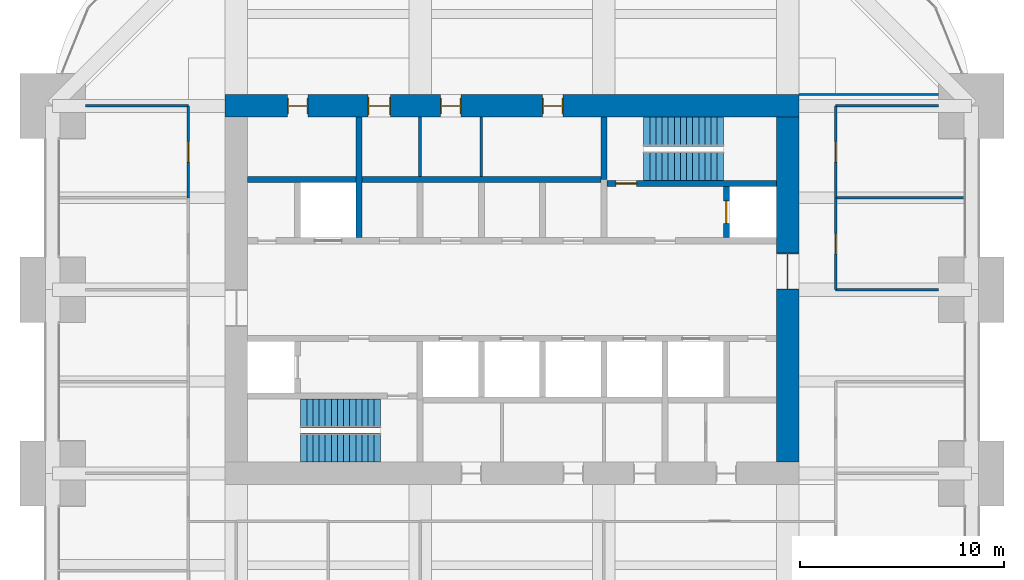
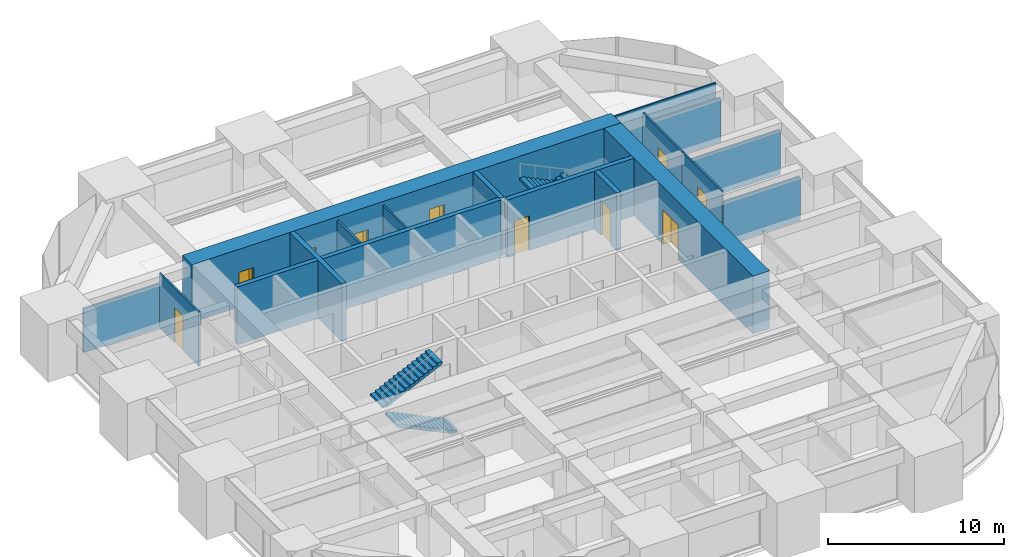
# One storey, part 42 of 43: 17 walls, 10 doors, 4 stair flights, 10 openings, 2 elements without a shape of their own.
"""IFC4 building model written with IfcOpenShell, lengths in metres."""

from ifc_helpers import new_model, si_unit, direction, frame, frame_2d, origin, place, context, subcontext, project, spatial, polyline, rectangle, outline, extrude, material, layer, layer_set, type_object, element, fill, aggregate, save


model = new_model("IFC4")

# Units and contexts
model_context = context("Model", 3, precision=1e-05, world=origin(), true_north=direction((0.0, 1.0)))
body_context = subcontext(model_context, "Body", "Model", "MODEL_VIEW")
ifc_project = project(units=[si_unit("LENGTHUNIT", "METRE"), si_unit("AREAUNIT", "SQUARE_METRE"), si_unit("VOLUMEUNIT", "CUBIC_METRE"), si_unit("PLANEANGLEUNIT", "RADIAN"), si_unit("MASSUNIT", "GRAM", prefix="KILO")], contexts=[model_context])

# Site, building, storey
site_placement = place(None, origin())
site = spatial("IfcSite", under=ifc_project, at=site_placement, CompositionType="ELEMENT")
building_placement = place(site_placement, origin())
building = spatial("IfcBuilding", under=site, at=building_placement, Name="Zorevar Civic Tower", CompositionType="ELEMENT")
storey_placement = place(building_placement, frame((0.0, 0.0, 243.39990234375)))
storey = spatial("IfcBuildingStorey", under=building, at=storey_placement, Name="L59", CompositionType="ELEMENT", Elevation=243.39990234375)

# Wall, openings, doors
ifc_material_1 = material(Name="Concrete C50/60", Category="concrete")
ifc_layer_1 = layer(ifc_material_1, 1.10009765625)
ifc_layer_set_1 = layer_set([ifc_layer_1], Name="Core wall 1100")
wall_type_1 = type_object("IfcWallType", Name="Core wall 1100", PredefinedType="SHEAR", material=ifc_layer_set_1)
wall_1_placement = place(storey_placement, frame((45.550048828125, 36.0, 0.0), z_axis=(0.0, 0.0, 1.0), x_axis=(-1.0, 0.0, 0.0)))
wall_1 = element("IfcWall", 1, at=wall_1_placement, inside=storey, type_object=wall_type_1, Name="Core wall N L59", PredefinedType="SHEAR", context=body_context, shape_type="SweptSolid", body=[
    extrude(rectangle(XDim=28.10009765625, YDim=1.10009765625, at=frame_2d((14.050048828125, 0.0))), origin(), (0.0, 0.0, 1.0), 4.0),
])
opening_1_placement = place(wall_1_placement, frame((11.550048828125, 0.0, 0.0)))
opening_1 = element("IfcOpeningElement", 2, at=opening_1_placement, cuts=wall_1, Name="Opening L59.07", PredefinedType="OPENING", context=body_context, shape_type="SweptSolid", body=[
    extrude(rectangle(XDim=1.0, YDim=2.39990234375, at=frame_2d((0.5, 1.199951171875))), frame((0.0, 0.56005859375, 0.0), z_axis=(0.0, -1.0, 0.0), x_axis=(1.0, 0.0, 0.0)), (0.0, 0.0, 1.0), 1.1201171875),
])
opening_2_placement = place(wall_1_placement, frame((16.550048828125, 0.0, 0.0)))
opening_2 = element("IfcOpeningElement", 3, at=opening_2_placement, cuts=wall_1, Name="Opening L59.08", PredefinedType="OPENING", context=body_context, shape_type="SweptSolid", body=[
    extrude(rectangle(XDim=1.0, YDim=2.39990234375, at=frame_2d((0.5, 1.199951171875))), frame((0.0, 0.56005859375, 0.0), z_axis=(0.0, -1.0, 0.0), x_axis=(1.0, 0.0, 0.0)), (0.0, 0.0, 1.0), 1.1201171875),
])
opening_3_placement = place(wall_1_placement, frame((20.0, 0.0, 0.0)))
opening_3 = element("IfcOpeningElement", 4, at=opening_3_placement, cuts=wall_1, Name="Opening L59.09", PredefinedType="OPENING", context=body_context, shape_type="SweptSolid", body=[
    extrude(rectangle(XDim=1.10009765625, YDim=2.39990234375, at=frame_2d((0.550048828125, 1.199951171875))), frame((0.0, 0.56005859375, 0.0), z_axis=(0.0, -1.0, 0.0), x_axis=(1.0, 0.0, 0.0)), (0.0, 0.0, 1.0), 1.1201171875),
])
opening_4_placement = place(wall_1_placement, frame((24.050048828125, 0.0, 0.0)))
opening_4 = element("IfcOpeningElement", 5, at=opening_4_placement, cuts=wall_1, Name="Opening L59.10", PredefinedType="OPENING", context=body_context, shape_type="SweptSolid", body=[
    extrude(rectangle(XDim=1.0, YDim=2.39990234375, at=frame_2d((0.5, 1.199951171875))), frame((0.0, 0.56005859375, 0.0), z_axis=(0.0, -1.0, 0.0), x_axis=(1.0, 0.0, 0.0)), (0.0, 0.0, 1.0), 1.1201171875),
])
ifc_material_2 = material(Name="Timber door set", Category="wood")
door_type_1 = type_object("IfcDoorType", Name="Door D1 1000x2400", OperationType="SINGLE_SWING_LEFT", PredefinedType="DOOR", material=ifc_material_2)
door_1_placement = place(opening_1_placement, origin())
door_1 = element("IfcDoor", 6, at=door_1_placement, inside=storey, type_object=door_type_1, Name="Door L59 06", OperationType="SINGLE_SWING_LEFT", OverallHeight=2.39990234375, OverallWidth=1.0, PredefinedType="DOOR", context=body_context, shape_type="SweptSolid", body=[
    extrude(rectangle(XDim=1.0, YDim=2.39990234375, at=frame_2d((0.5, 1.199951171875))), frame((0.0, 0.02490234375, 0.0), z_axis=(0.0, -1.0, 0.0), x_axis=(1.0, 0.0, 0.0)), (0.0, 0.0, 1.0), 0.050048828125),
    extrude(rectangle(XDim=0.04, YDim=2.39990234375, at=frame_2d((0.02001953125, 1.199951171875))), frame((0.0, 0.39990234375, 0.0), z_axis=(0.0, -1.0, 0.0), x_axis=(1.0, 0.0, 0.0)), (0.0, 0.0, 1.0), 0.800048828125),
    extrude(rectangle(XDim=0.04, YDim=2.39990234375, at=frame_2d((0.97998046875, 1.199951171875))), frame((0.0, 0.39990234375, 0.0), z_axis=(0.0, -1.0, 0.0), x_axis=(1.0, 0.0, 0.0)), (0.0, 0.0, 1.0), 0.800048828125),
    extrude(rectangle(XDim=1.0, YDim=0.04, at=frame_2d((0.5, 2.3798828125))), frame((0.0, 0.39990234375, 0.0), z_axis=(0.0, -1.0, 0.0), x_axis=(1.0, 0.0, 0.0)), (0.0, 0.0, 1.0), 0.800048828125),
])
fill(opening_1, door_1)
door_2_placement = place(opening_2_placement, origin())
door_2 = element("IfcDoor", 7, at=door_2_placement, inside=storey, type_object=door_type_1, Name="Door L59 07", OperationType="SINGLE_SWING_RIGHT", OverallHeight=2.39990234375, OverallWidth=1.0, PredefinedType="DOOR", context=body_context, shape_type="SweptSolid", body=[
    extrude(rectangle(XDim=1.0, YDim=2.39990234375, at=frame_2d((0.5, 1.199951171875))), frame((0.0, 0.02490234375, 0.0), z_axis=(0.0, -1.0, 0.0), x_axis=(1.0, 0.0, 0.0)), (0.0, 0.0, 1.0), 0.050048828125),
    extrude(rectangle(XDim=0.04, YDim=2.39990234375, at=frame_2d((0.02001953125, 1.199951171875))), frame((0.0, 0.39990234375, 0.0), z_axis=(0.0, -1.0, 0.0), x_axis=(1.0, 0.0, 0.0)), (0.0, 0.0, 1.0), 0.800048828125),
    extrude(rectangle(XDim=0.04, YDim=2.39990234375, at=frame_2d((0.97998046875, 1.199951171875))), frame((0.0, 0.39990234375, 0.0), z_axis=(0.0, -1.0, 0.0), x_axis=(1.0, 0.0, 0.0)), (0.0, 0.0, 1.0), 0.800048828125),
    extrude(rectangle(XDim=1.0, YDim=0.04, at=frame_2d((0.5, 2.3798828125))), frame((0.0, 0.39990234375, 0.0), z_axis=(0.0, -1.0, 0.0), x_axis=(1.0, 0.0, 0.0)), (0.0, 0.0, 1.0), 0.800048828125),
])
fill(opening_2, door_2)
door_3_placement = place(opening_4_placement, origin())
door_3 = element("IfcDoor", 8, at=door_3_placement, inside=storey, type_object=door_type_1, Name="Door L59 09", OperationType="SINGLE_SWING_RIGHT", OverallHeight=2.39990234375, OverallWidth=1.0, PredefinedType="DOOR", context=body_context, shape_type="SweptSolid", body=[
    extrude(rectangle(XDim=1.0, YDim=2.39990234375, at=frame_2d((0.5, 1.199951171875))), frame((0.0, 0.02490234375, 0.0), z_axis=(0.0, -1.0, 0.0), x_axis=(1.0, 0.0, 0.0)), (0.0, 0.0, 1.0), 0.050048828125),
    extrude(rectangle(XDim=0.04, YDim=2.39990234375, at=frame_2d((0.02001953125, 1.199951171875))), frame((0.0, 0.39990234375, 0.0), z_axis=(0.0, -1.0, 0.0), x_axis=(1.0, 0.0, 0.0)), (0.0, 0.0, 1.0), 0.800048828125),
    extrude(rectangle(XDim=0.04, YDim=2.39990234375, at=frame_2d((0.97998046875, 1.199951171875))), frame((0.0, 0.39990234375, 0.0), z_axis=(0.0, -1.0, 0.0), x_axis=(1.0, 0.0, 0.0)), (0.0, 0.0, 1.0), 0.800048828125),
    extrude(rectangle(XDim=1.0, YDim=0.04, at=frame_2d((0.5, 2.3798828125))), frame((0.0, 0.39990234375, 0.0), z_axis=(0.0, -1.0, 0.0), x_axis=(1.0, 0.0, 0.0)), (0.0, 0.0, 1.0), 0.800048828125),
])
fill(opening_4, door_3)
ifc_material_3 = material(Name="Timber door set", Category="wood")
door_type_2 = type_object("IfcDoorType", Name="Door D5 1100x2400", OperationType="SINGLE_SWING_LEFT", PredefinedType="DOOR", material=ifc_material_3)
door_4_placement = place(opening_3_placement, origin())
door_4 = element("IfcDoor", 9, at=door_4_placement, inside=storey, type_object=door_type_2, Name="Door L59 08", OperationType="SINGLE_SWING_RIGHT", OverallHeight=2.39990234375, OverallWidth=1.10009765625, PredefinedType="DOOR", context=body_context, shape_type="SweptSolid", body=[
    extrude(rectangle(XDim=1.10009765625, YDim=2.39990234375, at=frame_2d((0.550048828125, 1.199951171875))), frame((0.0, 0.02490234375, 0.0), z_axis=(0.0, -1.0, 0.0), x_axis=(1.0, 0.0, 0.0)), (0.0, 0.0, 1.0), 0.050048828125),
    extrude(rectangle(XDim=0.04, YDim=2.39990234375, at=frame_2d((0.02001953125, 1.199951171875))), frame((0.0, 0.43994140625, 0.0), z_axis=(0.0, -1.0, 0.0), x_axis=(1.0, 0.0, 0.0)), (0.0, 0.0, 1.0), 0.880126953125),
    extrude(rectangle(XDim=0.04, YDim=2.39990234375, at=frame_2d((1.080078125, 1.199951171875))), frame((0.0, 0.43994140625, 0.0), z_axis=(0.0, -1.0, 0.0), x_axis=(1.0, 0.0, 0.0)), (0.0, 0.0, 1.0), 0.880126953125),
    extrude(rectangle(XDim=1.10009765625, YDim=0.04, at=frame_2d((0.550048828125, 2.3798828125))), frame((0.0, 0.43994140625, 0.0), z_axis=(0.0, -1.0, 0.0), x_axis=(1.0, 0.0, 0.0)), (0.0, 0.0, 1.0), 0.880126953125),
])
fill(opening_3, door_4)

# Wall, opening, door
wall_2_placement = place(storey_placement, frame((45.0, 18.550048828125, 0.0), z_axis=(0.0, 0.0, 1.0), x_axis=(0.0, 1.0, 0.0)))
wall_2 = element("IfcWall", 10, at=wall_2_placement, inside=storey, type_object=wall_type_1, Name="Core wall E L59", PredefinedType="SHEAR", context=body_context, shape_type="SweptSolid", body=[
    extrude(rectangle(XDim=16.89990234375, YDim=1.10009765625, at=frame_2d((8.449951171875, 0.0))), origin(), (0.0, 0.0, 1.0), 4.0),
])
opening_5_placement = place(wall_2_placement, frame((8.449951171875, 0.0, 0.0)))
opening_5 = element("IfcOpeningElement", 11, at=opening_5_placement, cuts=wall_2, Name="Opening L59.02", PredefinedType="OPENING", context=body_context, shape_type="SweptSolid", body=[
    extrude(rectangle(XDim=1.800048828125, YDim=2.39990234375, at=frame_2d((0.89990234375, 1.199951171875))), frame((0.0, 0.56005859375, 0.0), z_axis=(0.0, -1.0, 0.0), x_axis=(1.0, 0.0, 0.0)), (0.0, 0.0, 1.0), 1.1201171875),
])
ifc_material_4 = material(Name="Steel door set", Category="steel")
door_type_3 = type_object("IfcDoorType", Name="Fire door FD2 1800x2400", OperationType="DOUBLE_DOOR_DOUBLE_SWING", PredefinedType="DOOR", material=ifc_material_4)
door_5_placement = place(opening_5_placement, origin())
door_5 = element("IfcDoor", 12, at=door_5_placement, inside=storey, type_object=door_type_3, Name="Door L59 01", OperationType="DOUBLE_DOOR_DOUBLE_SWING", OverallHeight=2.39990234375, OverallWidth=1.800048828125, PredefinedType="DOOR", context=body_context, shape_type="SweptSolid", body=[
    extrude(rectangle(XDim=1.800048828125, YDim=2.39990234375, at=frame_2d((0.89990234375, 1.199951171875))), frame((0.0, 0.030029296875, 0.0), z_axis=(0.0, -1.0, 0.0), x_axis=(1.0, 0.0, 0.0)), (0.0, 0.0, 1.0), 0.06005859375),
    extrude(rectangle(XDim=0.04, YDim=2.39990234375, at=frame_2d((0.02001953125, 1.199951171875))), frame((0.0, 0.5498046875, 0.0), z_axis=(0.0, -1.0, 0.0), x_axis=(1.0, 0.0, 0.0)), (0.0, 0.0, 1.0), 1.099609375),
    extrude(rectangle(XDim=0.04, YDim=2.39990234375, at=frame_2d((1.780029296875, 1.199951171875))), frame((0.0, 0.5498046875, 0.0), z_axis=(0.0, -1.0, 0.0), x_axis=(1.0, 0.0, 0.0)), (0.0, 0.0, 1.0), 1.099609375),
    extrude(rectangle(XDim=1.800048828125, YDim=0.04, at=frame_2d((0.89990234375, 2.3798828125))), frame((0.0, 0.5498046875, 0.0), z_axis=(0.0, -1.0, 0.0), x_axis=(1.0, 0.0, 0.0)), (0.0, 0.0, 1.0), 1.099609375),
])
fill(opening_5, door_5)

# Wall
ifc_material_5 = material(Name="Laminated glass in black aluminium frame", Category="aluminium")
ifc_layer_2 = layer(ifc_material_5, 0.10009765625)
ifc_layer_set_2 = layer_set([ifc_layer_2], Name="Glazed partition 100")
wall_type_2 = type_object("IfcWallType", Name="Glazed partition 100", PredefinedType="PARTITIONING", material=ifc_layer_set_2)
wall_3_placement = place(storey_placement, frame((45.550048828125, 36.550048828125, 0.0), z_axis=(0.0, 0.0, 1.0), x_axis=(1.0, 0.0, 0.0)))
element("IfcWall", 13, at=wall_3_placement, inside=storey, type_object=wall_type_2, Name="Glazed partition 100 L59", PredefinedType="PARTITIONING", context=body_context, shape_type="SweptSolid", body=[
    extrude(rectangle(XDim=6.849853515625, YDim=0.10009765625, at=frame_2d((3.4248046875, 0.0))), origin(), (0.0, 0.0, 1.0), 3.75),
])

# Wall, opening, door
ifc_material_6 = material(Name="Concrete C40/50", Category="concrete")
ifc_layer_3 = layer(ifc_material_6, 0.300048828125)
ifc_layer_set_3 = layer_set([ifc_layer_3], Name="Inner core wall 300")
wall_type_3 = type_object("IfcWallType", Name="Inner core wall 300", PredefinedType="SHEAR", material=ifc_layer_set_3)
wall_4_placement = place(storey_placement, frame((36.14990234375, 32.199951171875, 0.0), z_axis=(0.0, 0.0, 1.0), x_axis=(1.0, 0.0, 0.0)))
wall_4 = element("IfcWall", 14, at=wall_4_placement, inside=storey, type_object=wall_type_3, Name="Inner core wall N00 L59", PredefinedType="SHEAR", context=body_context, shape_type="SweptSolid", body=[
    extrude(rectangle(XDim=8.300048828125, YDim=0.300048828125, at=frame_2d((4.14990234375, 0.0))), origin(), (0.0, 0.0, 1.0), 4.0),
])
opening_6_placement = place(wall_4_placement, frame((0.449951171875, 0.0, 0.0)))
opening_6 = element("IfcOpeningElement", 15, at=opening_6_placement, cuts=wall_4, Name="Opening L59.12", PredefinedType="OPENING", context=body_context, shape_type="SweptSolid", body=[
    extrude(rectangle(XDim=1.0, YDim=2.39990234375, at=frame_2d((0.5, 1.199951171875))), frame((0.0, 0.159912109375, 0.0), z_axis=(0.0, -1.0, 0.0), x_axis=(1.0, 0.0, 0.0)), (0.0, 0.0, 1.0), 0.320068359375),
])
ifc_material_7 = material(Name="Steel door set", Category="steel")
door_type_4 = type_object("IfcDoorType", Name="Fire door FD1 1000x2400", OperationType="SINGLE_SWING_LEFT", PredefinedType="DOOR", material=ifc_material_7)
door_6_placement = place(opening_6_placement, origin())
door_6 = element("IfcDoor", 16, at=door_6_placement, inside=storey, type_object=door_type_4, Name="Door L59 11", OperationType="SINGLE_SWING_RIGHT", OverallHeight=2.39990234375, OverallWidth=1.0, PredefinedType="DOOR", context=body_context, shape_type="SweptSolid", body=[
    extrude(rectangle(XDim=1.0, YDim=2.39990234375, at=frame_2d((0.5, 1.199951171875))), frame((0.0, 0.030029296875, 0.0), z_axis=(0.0, -1.0, 0.0), x_axis=(1.0, 0.0, 0.0)), (0.0, 0.0, 1.0), 0.06005859375),
])
fill(opening_6, door_6)

# Wall
wall_5_placement = place(storey_placement, frame((36.0, 32.39990234375, 0.0), z_axis=(0.0, 0.0, 1.0), x_axis=(0.0, 1.0, 0.0)))
element("IfcWall", 17, at=wall_5_placement, inside=storey, type_object=wall_type_3, Name="Inner core wall N01 L59", PredefinedType="SHEAR", context=body_context, shape_type="SweptSolid", body=[
    extrude(rectangle(XDim=3.050048828125, YDim=0.300048828125, at=frame_2d((1.52490234375, 0.0))), origin(), (0.0, 0.0, 1.0), 4.0),
])

# Wall, opening, door
wall_6_placement = place(storey_placement, frame((42.0, 29.550048828125, 0.0), z_axis=(0.0, 0.0, 1.0), x_axis=(0.0, 1.0, 0.0)))
wall_6 = element("IfcWall", 18, at=wall_6_placement, inside=storey, type_object=wall_type_3, Name="Inner core wall N02 L59", PredefinedType="SHEAR", context=body_context, shape_type="SweptSolid", body=[
    extrude(rectangle(XDim=2.5, YDim=0.300048828125, at=frame_2d((1.25, 0.0))), origin(), (0.0, 0.0, 1.0), 4.0),
])
opening_7_placement = place(wall_6_placement, frame((0.699951171875, 0.0, 0.0)))
opening_7 = element("IfcOpeningElement", 19, at=opening_7_placement, cuts=wall_6, Name="Opening L59.FL2", PredefinedType="OPENING", context=body_context, shape_type="SweptSolid", body=[
    extrude(rectangle(XDim=1.10009765625, YDim=2.39990234375, at=frame_2d((0.550048828125, 1.199951171875))), frame((0.0, 0.159912109375, 0.0), z_axis=(0.0, -1.0, 0.0), x_axis=(1.0, 0.0, 0.0)), (0.0, 0.0, 1.0), 0.320068359375),
])
ifc_material_8 = material(Name="Steel door set", Category="steel")
door_type_5 = type_object("IfcDoorType", Name="Firefighting lift landing door LD3 1100x2400", OperationType="DOUBLE_DOOR_SLIDING", PredefinedType="DOOR", material=ifc_material_8)
door_7_placement = place(opening_7_placement, origin())
door_7 = element("IfcDoor", 20, at=door_7_placement, inside=storey, type_object=door_type_5, Name="Landing door FL2 L59", OperationType="DOUBLE_DOOR_SLIDING", OverallHeight=2.39990234375, OverallWidth=1.10009765625, PredefinedType="DOOR", context=body_context, shape_type="SweptSolid", body=[
    extrude(rectangle(XDim=1.10009765625, YDim=2.39990234375, at=frame_2d((0.550048828125, 1.199951171875))), frame((0.0, 0.030029296875, 0.0), z_axis=(0.0, -1.0, 0.0), x_axis=(1.0, 0.0, 0.0)), (0.0, 0.0, 1.0), 0.06005859375),
])
fill(opening_7, door_7)

# Walls
wall_7_placement = place(storey_placement, frame((18.550048828125, 32.39990234375, 0.0), z_axis=(0.0, 0.0, 1.0), x_axis=(1.0, 0.0, 0.0)))
element("IfcWall", 21, at=wall_7_placement, inside=storey, type_object=wall_type_3, Name="Inner core wall N04 L59", PredefinedType="SHEAR", context=body_context, shape_type="SweptSolid", body=[
    extrude(rectangle(XDim=17.300048828125, YDim=0.300048828125, at=frame_2d((8.64990234375, 0.0))), origin(), (0.0, 0.0, 1.0), 4.0),
])
wall_8_placement = place(storey_placement, frame((24.0, 29.550048828125, 0.0), z_axis=(0.0, 0.0, 1.0), x_axis=(0.0, 1.0, 0.0)))
element("IfcWall", 22, at=wall_8_placement, inside=storey, type_object=wall_type_3, Name="Inner core wall N08 L59", PredefinedType="SHEAR", context=body_context, shape_type="SweptSolid", body=[
    extrude(rectangle(XDim=5.89990234375, YDim=0.300048828125, at=frame_2d((2.949951171875, 0.0))), origin(), (0.0, 0.0, 1.0), 4.0),
])
ifc_material_9 = material(Name="Gypsum board on steel studs", Category="steel")
ifc_layer_4 = layer(ifc_material_9, 0.1201171875)
ifc_layer_set_4 = layer_set([ifc_layer_4], Name="Partition 120")
wall_type_4 = type_object("IfcWallType", Name="Partition 120", PredefinedType="PARTITIONING", material=ifc_layer_set_4)
wall_9_placement = place(storey_placement, frame((47.35009765625, 27.0, 0.0), z_axis=(0.0, 0.0, 1.0), x_axis=(1.0, 0.0, 0.0)))
element("IfcWall", 23, at=wall_9_placement, inside=storey, type_object=wall_type_4, Name="Partition 120 L59", PredefinedType="PARTITIONING", context=body_context, shape_type="SweptSolid", body=[
    extrude(rectangle(XDim=5.0498046875, YDim=0.1201171875, at=frame_2d((2.52490234375, 0.0))), origin(), (0.0, 0.0, 1.0), 3.050048828125),
])
wall_10_placement = place(storey_placement, frame((47.35009765625, 31.5, 0.0), z_axis=(0.0, 0.0, 1.0), x_axis=(1.0, 0.0, 0.0)))
element("IfcWall", 24, at=wall_10_placement, inside=storey, type_object=wall_type_4, Name="Partition 120 L59", PredefinedType="PARTITIONING", context=body_context, shape_type="SweptSolid", body=[
    extrude(rectangle(XDim=6.33984375, YDim=0.1201171875, at=frame_2d((3.169921875, 0.0))), origin(), (0.0, 0.0, 1.0), 3.10009765625),
])
for number, where, z_axis, x_axis, name in (
    (25, (10.60009765625, 36.0, 0.0), (0.0, 0.0, 1.0), (1.0, 0.0, 0.0), "Partition 120 L59"),
    (26, (47.35009765625, 36.0, 0.0), (0.0, 0.0, 1.0), (1.0, 0.0, 0.0), "Partition 120 L59"),
):
    element("IfcWall", number, at=place(storey_placement, frame(where, z_axis=z_axis, x_axis=x_axis)), inside=storey, type_object=wall_type_4, Name=name, PredefinedType="PARTITIONING", context=body_context, shape_type="SweptSolid", body=[
        extrude(rectangle(XDim=5.0498046875, YDim=0.1201171875, at=frame_2d((2.52490234375, 0.0))), origin(), (0.0, 0.0, 1.0), 3.050048828125),
    ])

# Wall, opening, door
wall_11_placement = place(storey_placement, frame((15.64990234375, 31.5, 0.0), z_axis=(0.0, 0.0, 1.0), x_axis=(0.0, 1.0, 0.0)))
wall_11 = element("IfcWall", 27, at=wall_11_placement, inside=storey, type_object=wall_type_4, Name="Partition 120 L59", PredefinedType="PARTITIONING", context=body_context, shape_type="SweptSolid", body=[
    extrude(rectangle(XDim=4.5, YDim=0.1201171875, at=frame_2d((2.25, 0.0))), origin(), (0.0, 0.0, 1.0), 3.75),
])
opening_8_placement = place(wall_11_placement, frame((1.75, 0.0, 0.0)))
opening_8 = element("IfcOpeningElement", 28, at=opening_8_placement, cuts=wall_11, Name="Opening L59.32", PredefinedType="OPENING", context=body_context, shape_type="SweptSolid", body=[
    extrude(rectangle(XDim=1.0, YDim=2.39990234375, at=frame_2d((0.5, 1.199951171875))), frame((0.0, 0.070068359375, 0.0), z_axis=(0.0, -1.0, 0.0), x_axis=(1.0, 0.0, 0.0)), (0.0, 0.0, 1.0), 0.14013671875),
])
door_8_placement = place(opening_8_placement, origin())
door_8 = element("IfcDoor", 29, at=door_8_placement, inside=storey, type_object=door_type_1, Name="Door L59 D1", OperationType="SINGLE_SWING_RIGHT", OverallHeight=2.39990234375, OverallWidth=1.0, PredefinedType="DOOR", context=body_context, shape_type="SweptSolid", body=[
    extrude(rectangle(XDim=1.0, YDim=2.39990234375, at=frame_2d((0.5, 1.199951171875))), frame((0.0, 0.02490234375, 0.0), z_axis=(0.0, -1.0, 0.0), x_axis=(1.0, 0.0, 0.0)), (0.0, 0.0, 1.0), 0.050048828125),
])
fill(opening_8, door_8)

wall_12_placement = place(storey_placement, frame((47.35009765625, 27.0, 0.0), z_axis=(0.0, 0.0, 1.0), x_axis=(0.0, 1.0, 0.0)))
wall_12 = element("IfcWall", 30, at=wall_12_placement, inside=storey, type_object=wall_type_4, Name="Partition 120 L59", PredefinedType="PARTITIONING", context=body_context, shape_type="SweptSolid", body=[
    extrude(rectangle(XDim=4.5, YDim=0.1201171875, at=frame_2d((2.25, 0.0))), origin(), (0.0, 0.0, 1.0), 3.75),
])
opening_9_placement = place(wall_12_placement, frame((1.75, 0.0, 0.0)))
opening_9 = element("IfcOpeningElement", 31, at=opening_9_placement, cuts=wall_12, Name="Opening L59.36", PredefinedType="OPENING", context=body_context, shape_type="SweptSolid", body=[
    extrude(rectangle(XDim=1.0, YDim=2.39990234375, at=frame_2d((0.5, 1.199951171875))), frame((0.0, 0.070068359375, 0.0), z_axis=(0.0, -1.0, 0.0), x_axis=(1.0, 0.0, 0.0)), (0.0, 0.0, 1.0), 0.14013671875),
])
door_9_placement = place(opening_9_placement, origin())
door_9 = element("IfcDoor", 32, at=door_9_placement, inside=storey, type_object=door_type_1, Name="Door L59 D1", OperationType="SINGLE_SWING_LEFT", OverallHeight=2.39990234375, OverallWidth=1.0, PredefinedType="DOOR", context=body_context, shape_type="SweptSolid", body=[
    extrude(rectangle(XDim=1.0, YDim=2.39990234375, at=frame_2d((0.5, 1.199951171875))), frame((0.0, 0.02490234375, 0.0), z_axis=(0.0, -1.0, 0.0), x_axis=(1.0, 0.0, 0.0)), (0.0, 0.0, 1.0), 0.050048828125),
])
fill(opening_9, door_9)

wall_13_placement = place(storey_placement, frame((47.35009765625, 31.5, 0.0), z_axis=(0.0, 0.0, 1.0), x_axis=(0.0, 1.0, 0.0)))
wall_13 = element("IfcWall", 33, at=wall_13_placement, inside=storey, type_object=wall_type_4, Name="Partition 120 L59", PredefinedType="PARTITIONING", context=body_context, shape_type="SweptSolid", body=[
    extrude(rectangle(XDim=4.5, YDim=0.1201171875, at=frame_2d((2.25, 0.0))), origin(), (0.0, 0.0, 1.0), 3.75),
])
opening_10_placement = place(wall_13_placement, frame((1.75, 0.0, 0.0)))
opening_10 = element("IfcOpeningElement", 34, at=opening_10_placement, cuts=wall_13, Name="Opening L59.37", PredefinedType="OPENING", context=body_context, shape_type="SweptSolid", body=[
    extrude(rectangle(XDim=1.0, YDim=2.39990234375, at=frame_2d((0.5, 1.199951171875))), frame((0.0, 0.070068359375, 0.0), z_axis=(0.0, -1.0, 0.0), x_axis=(1.0, 0.0, 0.0)), (0.0, 0.0, 1.0), 0.14013671875),
])
door_10_placement = place(opening_10_placement, origin())
door_10 = element("IfcDoor", 35, at=door_10_placement, inside=storey, type_object=door_type_1, Name="Door L59 D1", OperationType="SINGLE_SWING_LEFT", OverallHeight=2.39990234375, OverallWidth=1.0, PredefinedType="DOOR", context=body_context, shape_type="SweptSolid", body=[
    extrude(rectangle(XDim=1.0, YDim=2.39990234375, at=frame_2d((0.5, 1.199951171875))), frame((0.0, 0.02490234375, 0.0), z_axis=(0.0, -1.0, 0.0), x_axis=(1.0, 0.0, 0.0)), (0.0, 0.0, 1.0), 0.050048828125),
])
fill(opening_10, door_10)

# Walls
wall_14_placement = place(storey_placement, frame((30.0, 32.550048828125, 0.0), z_axis=(0.0, 0.0, 1.0), x_axis=(0.0, 1.0, 0.0)))
element("IfcWall", 36, at=wall_14_placement, inside=storey, type_object=wall_type_4, Name="Partition L59", PredefinedType="PARTITIONING", context=body_context, shape_type="SweptSolid", body=[
    extrude(rectangle(XDim=2.89990234375, YDim=0.1201171875, at=frame_2d((1.449951171875, 0.0))), origin(), (0.0, 0.0, 1.0), 3.75),
])
ifc_material_10 = material(Name="Gypsum board on steel studs, moisture resistant", Category="steel")
ifc_layer_5 = layer(ifc_material_10, 0.14990234375)
ifc_layer_set_5 = layer_set([ifc_layer_5], Name="WC partition 150")
wall_type_5 = type_object("IfcWallType", Name="WC partition 150", PredefinedType="PARTITIONING", material=ifc_layer_set_5)
wall_15_placement = place(storey_placement, frame((27.0, 32.550048828125, 0.0), z_axis=(0.0, 0.0, 1.0), x_axis=(0.0, 1.0, 0.0)))
element("IfcWall", 37, at=wall_15_placement, inside=storey, type_object=wall_type_5, Name="WC partition L59", PredefinedType="PARTITIONING", context=body_context, shape_type="SweptSolid", body=[
    extrude(rectangle(XDim=2.89990234375, YDim=0.14990234375, at=frame_2d((1.449951171875, 0.0))), origin(), (0.0, 0.0, 1.0), 3.75),
])

# Stair, stair flights
ifc_material_11 = material(Name="Precast concrete C40/50", Category="concrete")
stair_type = type_object("IfcStairType", Name="Stair ST 28R", PredefinedType="HALF_TURN_STAIR", material=ifc_material_11)
stair_1_placement = place(storey_placement, origin())
stair_1 = element("IfcStair", 38, at=stair_1_placement, inside=storey, type_object=stair_type, Name="Stair ST1 L59", PredefinedType="HALF_TURN_STAIR")
ifc_material_12 = material(Name="Precast concrete C40/50", Category="concrete")
stair_flight_type = type_object("IfcStairFlightType", Name="Stair flight", PredefinedType="STRAIGHT", material=ifc_material_12)
stair_flight_1_placement = place(storey_placement, frame((25.050048828125, 19.262451171875, 0.0), z_axis=(0.0, 0.0, 1.0), x_axis=(-1.0, 0.0, 0.0)))
stair_flight_1 = element("IfcStairFlight", 39, at=stair_flight_1_placement, type_object=stair_flight_type, Name="ST1 flight 1", NumberOfRisers=14, NumberOfTreads=13, PredefinedType="STRAIGHT", RiserHeight=0.142857143, TreadLength=0.3, context=body_context, shape_type="SweptSolid", body=[
    extrude(outline(polyline([(0.0, 0.0), (0.0, 0.142822265625), (0.300048828125, 0.142822265625), (0.300048828125, 0.28564453125), (0.60009765625, 0.28564453125), (0.60009765625, 0.428466796875), (0.89990234375, 0.428466796875), (0.89990234375, 0.571533203125), (1.199951171875, 0.571533203125), (1.199951171875, 0.71435546875), (1.5, 0.71435546875), (1.5, 0.857177734375), (1.800048828125, 0.857177734375), (1.800048828125, 1.0), (2.10009765625, 1.0), (2.10009765625, 1.142822265625), (2.39990234375, 1.142822265625), (2.39990234375, 1.28564453125), (2.699951171875, 1.28564453125), (2.699951171875, 1.428466796875), (3.0, 1.428466796875), (3.0, 1.571533203125), (3.300048828125, 1.571533203125), (3.300048828125, 1.71435546875), (3.60009765625, 1.71435546875), (3.60009765625, 1.857177734375), (3.89990234375, 1.857177734375), (3.89990234375, 2.0), (3.89990234375, 1.691162109375), (0.3486328125, 0.0), (0.0, 0.0)])), frame((0.0, 0.71240234375, 0.0), z_axis=(0.0, -1.0, 0.0), x_axis=(1.0, 0.0, 0.0)), (0.0, 0.0, 1.0), 1.425048828125),
])
stair_flight_2_placement = place(storey_placement, frame((21.14990234375, 20.9375, 2.0), z_axis=(0.0, 0.0, 1.0), x_axis=(1.0, 0.0, 0.0)))
stair_flight_2 = element("IfcStairFlight", 40, at=stair_flight_2_placement, type_object=stair_flight_type, Name="ST1 flight 2", NumberOfRisers=14, NumberOfTreads=13, PredefinedType="STRAIGHT", RiserHeight=0.142857143, TreadLength=0.3, context=body_context, shape_type="SweptSolid", body=[
    extrude(outline(polyline([(0.0, 0.0), (0.0, 0.142822265625), (0.300048828125, 0.142822265625), (0.300048828125, 0.28564453125), (0.60009765625, 0.28564453125), (0.60009765625, 0.428466796875), (0.89990234375, 0.428466796875), (0.89990234375, 0.571533203125), (1.199951171875, 0.571533203125), (1.199951171875, 0.71435546875), (1.5, 0.71435546875), (1.5, 0.857177734375), (1.800048828125, 0.857177734375), (1.800048828125, 1.0), (2.10009765625, 1.0), (2.10009765625, 1.142822265625), (2.39990234375, 1.142822265625), (2.39990234375, 1.28564453125), (2.699951171875, 1.28564453125), (2.699951171875, 1.428466796875), (3.0, 1.428466796875), (3.0, 1.571533203125), (3.300048828125, 1.571533203125), (3.300048828125, 1.71435546875), (3.60009765625, 1.71435546875), (3.60009765625, 1.857177734375), (3.89990234375, 1.857177734375), (3.89990234375, 2.0), (3.89990234375, 1.691162109375), (0.3486328125, 0.0), (0.0, 0.0)])), frame((0.0, 0.71240234375, 0.0), z_axis=(0.0, -1.0, 0.0), x_axis=(1.0, 0.0, 0.0)), (0.0, 0.0, 1.0), 1.425048828125),
])
aggregate(stair_1, [stair_flight_1, stair_flight_2])

stair_2_placement = place(storey_placement, origin())
stair_2 = element("IfcStair", 41, at=stair_2_placement, inside=storey, type_object=stair_type, Name="Stair ST2 L59", PredefinedType="HALF_TURN_STAIR")
stair_flight_3_placement = place(storey_placement, frame((37.949951171875, 34.737548828125, 0.0), z_axis=(0.0, 0.0, 1.0), x_axis=(1.0, 0.0, 0.0)))
stair_flight_3 = element("IfcStairFlight", 42, at=stair_flight_3_placement, type_object=stair_flight_type, Name="ST2 flight 1", NumberOfRisers=14, NumberOfTreads=13, PredefinedType="STRAIGHT", RiserHeight=0.142857143, TreadLength=0.3, context=body_context, shape_type="SweptSolid", body=[
    extrude(outline(polyline([(0.0, 0.0), (0.0, 0.142822265625), (0.300048828125, 0.142822265625), (0.300048828125, 0.28564453125), (0.60009765625, 0.28564453125), (0.60009765625, 0.428466796875), (0.89990234375, 0.428466796875), (0.89990234375, 0.571533203125), (1.199951171875, 0.571533203125), (1.199951171875, 0.71435546875), (1.5, 0.71435546875), (1.5, 0.857177734375), (1.800048828125, 0.857177734375), (1.800048828125, 1.0), (2.10009765625, 1.0), (2.10009765625, 1.142822265625), (2.39990234375, 1.142822265625), (2.39990234375, 1.28564453125), (2.699951171875, 1.28564453125), (2.699951171875, 1.428466796875), (3.0, 1.428466796875), (3.0, 1.571533203125), (3.300048828125, 1.571533203125), (3.300048828125, 1.71435546875), (3.60009765625, 1.71435546875), (3.60009765625, 1.857177734375), (3.89990234375, 1.857177734375), (3.89990234375, 2.0), (3.89990234375, 1.691162109375), (0.3486328125, 0.0), (0.0, 0.0)])), frame((0.0, 0.71240234375, 0.0), z_axis=(0.0, -1.0, 0.0), x_axis=(1.0, 0.0, 0.0)), (0.0, 0.0, 1.0), 1.425048828125),
])
stair_flight_4_placement = place(storey_placement, frame((41.85009765625, 33.0625, 2.0), z_axis=(0.0, 0.0, 1.0), x_axis=(-1.0, 0.0, 0.0)))
stair_flight_4 = element("IfcStairFlight", 43, at=stair_flight_4_placement, type_object=stair_flight_type, Name="ST2 flight 2", NumberOfRisers=14, NumberOfTreads=13, PredefinedType="STRAIGHT", RiserHeight=0.142857143, TreadLength=0.3, context=body_context, shape_type="SweptSolid", body=[
    extrude(outline(polyline([(0.0, 0.0), (0.0, 0.142822265625), (0.300048828125, 0.142822265625), (0.300048828125, 0.28564453125), (0.60009765625, 0.28564453125), (0.60009765625, 0.428466796875), (0.89990234375, 0.428466796875), (0.89990234375, 0.571533203125), (1.199951171875, 0.571533203125), (1.199951171875, 0.71435546875), (1.5, 0.71435546875), (1.5, 0.857177734375), (1.800048828125, 0.857177734375), (1.800048828125, 1.0), (2.10009765625, 1.0), (2.10009765625, 1.142822265625), (2.39990234375, 1.142822265625), (2.39990234375, 1.28564453125), (2.699951171875, 1.28564453125), (2.699951171875, 1.428466796875), (3.0, 1.428466796875), (3.0, 1.571533203125), (3.300048828125, 1.571533203125), (3.300048828125, 1.71435546875), (3.60009765625, 1.71435546875), (3.60009765625, 1.857177734375), (3.89990234375, 1.857177734375), (3.89990234375, 2.0), (3.89990234375, 1.691162109375), (0.3486328125, 0.0), (0.0, 0.0)])), frame((0.0, 0.71240234375, 0.0), z_axis=(0.0, -1.0, 0.0), x_axis=(1.0, 0.0, 0.0)), (0.0, 0.0, 1.0), 1.425048828125),
])
aggregate(stair_2, [stair_flight_3, stair_flight_4])

save(model, "model.ifc")
